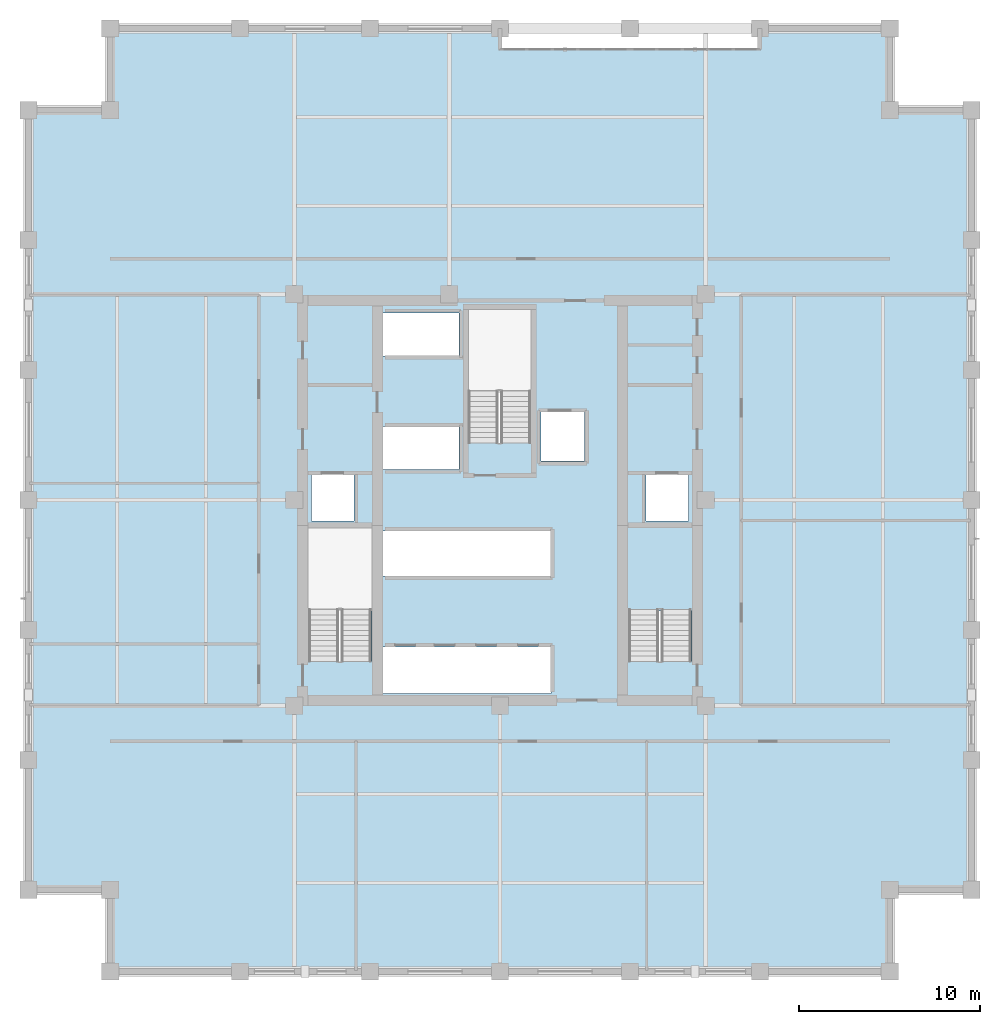
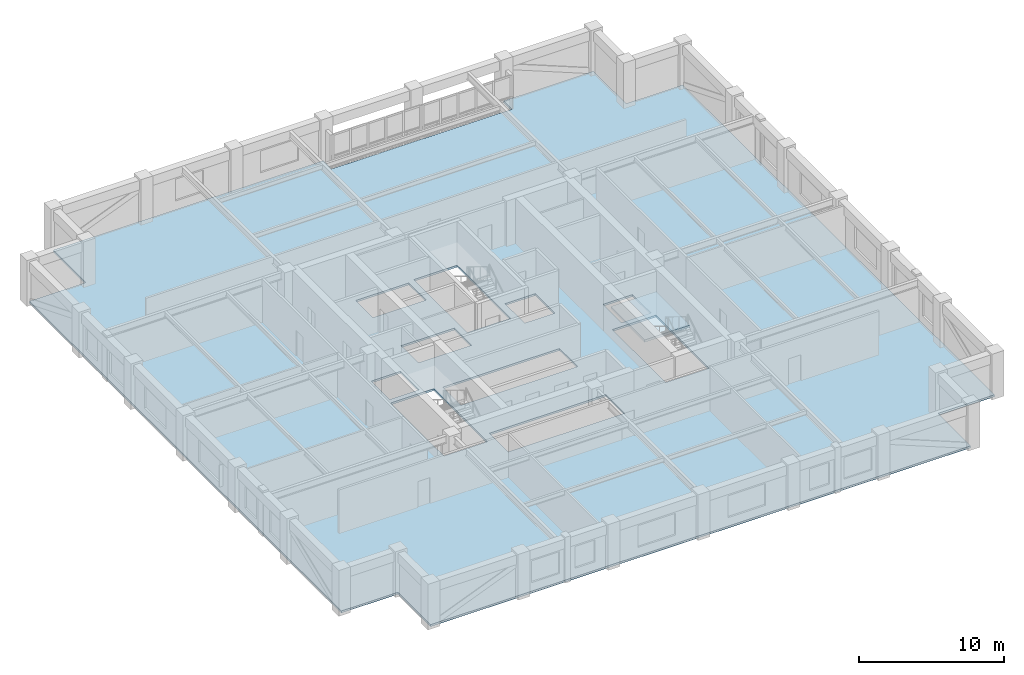
# One storey, part 4 of 11: 2 slabs, 1 element without a shape of its own.
"""IFC4 building model written with IfcOpenShell, lengths in metres."""

from ifc_helpers import new_model, si_unit, direction, frame, origin, place, context, subcontext, project, spatial, polyline, outline, extrude, material, layer, layer_set, type_object, element, aggregate, save


model = new_model("IFC4")

# Units and contexts
model_context = context("Model", 3, precision=1e-05, world=origin(), true_north=direction((0.0, 1.0)))
body_context = subcontext(model_context, "Body", "Model", "MODEL_VIEW")
ifc_project = project(units=[si_unit("LENGTHUNIT", "METRE"), si_unit("AREAUNIT", "SQUARE_METRE"), si_unit("VOLUMEUNIT", "CUBIC_METRE"), si_unit("PLANEANGLEUNIT", "RADIAN"), si_unit("MASSUNIT", "GRAM", prefix="KILO")], contexts=[model_context])

# Site, building, storey
site_placement = place(None, origin())
site = spatial("IfcSite", under=ifc_project, at=site_placement, CompositionType="ELEMENT")
building_placement = place(site_placement, origin())
building = spatial("IfcBuilding", under=site, at=building_placement, Name="Nhamokura Convention Tower", CompositionType="ELEMENT")
storey_placement = place(building_placement, frame((0.0, 0.0, 133.699951171875)))
storey = spatial("IfcBuildingStorey", under=building, at=storey_placement, Name="L32", CompositionType="ELEMENT", Elevation=133.699951171875)

# Slab
ifc_material_1 = material(Name="Concrete C40/50", Category="concrete")
ifc_layer_1 = layer(ifc_material_1, 0.1650390625)
ifc_layer_set_1 = layer_set([ifc_layer_1], Name="OfficeFloorSlab_165")
slab_type_1 = type_object("IfcSlabType", Name="OfficeFloorSlab_165", PredefinedType="FLOOR", material=ifc_layer_set_1)
slab_1_placement = place(storey_placement, frame((0.0, 0.0, -0.1650390625)))
element("IfcSlab", 1, at=slab_1_placement, inside=storey, type_object=slab_type_1, Name="L32 Structural Floor Slab", PredefinedType="FLOOR", context=body_context, shape_type="SweptSolid", body=[
    extrude(outline(polyline([(10.5, 6.0), (53.5, 6.0), (53.5, 10.5), (58.0, 10.5), (58.0, 53.5), (53.5, 53.5), (53.5, 58.0), (46.333251953125, 58.0), (46.333251953125, 56.85009765625), (32.0, 56.85009765625), (32.0, 58.0), (10.5, 58.0), (10.5, 53.5), (6.0, 53.5), (6.0, 10.5), (10.5, 10.5), (10.5, 6.0)]), holes=[polyline([(24.89990234375, 23.10009765625), (24.89990234375, 30.449951171875), (21.449951171875, 30.449951171875), (21.449951171875, 23.10009765625), (24.89990234375, 23.10009765625)]), polyline([(42.550048828125, 23.10009765625), (42.550048828125, 30.449951171875), (39.10009765625, 30.449951171875), (39.10009765625, 23.10009765625), (42.550048828125, 23.10009765625)]), polyline([(33.699951171875, 35.14990234375), (33.699951171875, 42.5), (30.25, 42.5), (30.25, 35.14990234375), (33.699951171875, 35.14990234375)]), polyline([(21.60009765625, 30.85009765625), (23.949951171875, 30.85009765625), (23.949951171875, 33.39990234375), (21.60009765625, 33.39990234375), (21.60009765625, 30.85009765625)]), polyline([(40.050048828125, 30.85009765625), (42.39990234375, 30.85009765625), (42.39990234375, 33.39990234375), (40.050048828125, 33.39990234375), (40.050048828125, 30.85009765625)]), polyline([(34.25, 34.14990234375), (36.64990234375, 34.14990234375), (36.64990234375, 36.85009765625), (34.25, 36.85009765625), (34.25, 34.14990234375)]), polyline([(25.52001953125, 21.320068359375), (34.800048828125, 21.320068359375), (34.800048828125, 23.89990234375), (25.52001953125, 23.89990234375), (25.52001953125, 21.320068359375)]), polyline([(25.52001953125, 27.800048828125), (34.800048828125, 27.800048828125), (34.800048828125, 30.300048828125), (25.52001953125, 30.300048828125), (25.52001953125, 27.800048828125)]), polyline([(25.52001953125, 33.679931640625), (29.75, 33.679931640625), (29.75, 36.050048828125), (25.52001953125, 36.050048828125), (25.52001953125, 33.679931640625)]), polyline([(25.52001953125, 39.949951171875), (29.75, 39.949951171875), (29.75, 42.320068359375), (25.52001953125, 42.320068359375), (25.52001953125, 39.949951171875)])]), origin(), (0.0, 0.0, 1.0), 0.1650390625),
])

# Stair, slab
ifc_material_2 = material(Name="Concrete C40/50", Category="concrete")
stair_type = type_object("IfcStairType", Name="TowerCoreStair_1650", PredefinedType="HALF_TURN_STAIR", material=ifc_material_2)
stair_placement = place(storey_placement, origin())
stair = element("IfcStair", 2, at=stair_placement, inside=storey, type_object=stair_type, Name="L32 East Core Smokeproof Stair ST-02", PredefinedType="HALF_TURN_STAIR")
ifc_material_3 = material(Name="Concrete C40/50", Category="concrete")
ifc_layer_2 = layer(ifc_material_3, 0.199951171875)
ifc_layer_set_2 = layer_set([ifc_layer_2], Name="StairLandingSlab_200")
slab_type_2 = type_object("IfcSlabType", Name="StairLandingSlab_200", PredefinedType="LANDING", material=ifc_layer_set_2)
slab_2_placement = place(storey_placement, frame((0.0, 0.0, 1.72509765625)))
slab_2 = element("IfcSlab", 3, at=slab_2_placement, type_object=slab_type_2, Name="ST-02 landing 1", PredefinedType="LANDING", context=body_context, shape_type="SweptSolid", body=[
    extrude(outline(polyline([(42.6298828125, 25.8701171875), (42.6298828125, 30.530029296875), (39.02001953125, 30.530029296875), (39.02001953125, 25.8701171875), (42.6298828125, 25.8701171875)])), origin(), (0.0, 0.0, 1.0), 0.199951171875),
])
aggregate(stair, [slab_2])

save(model, "model.ifc")
